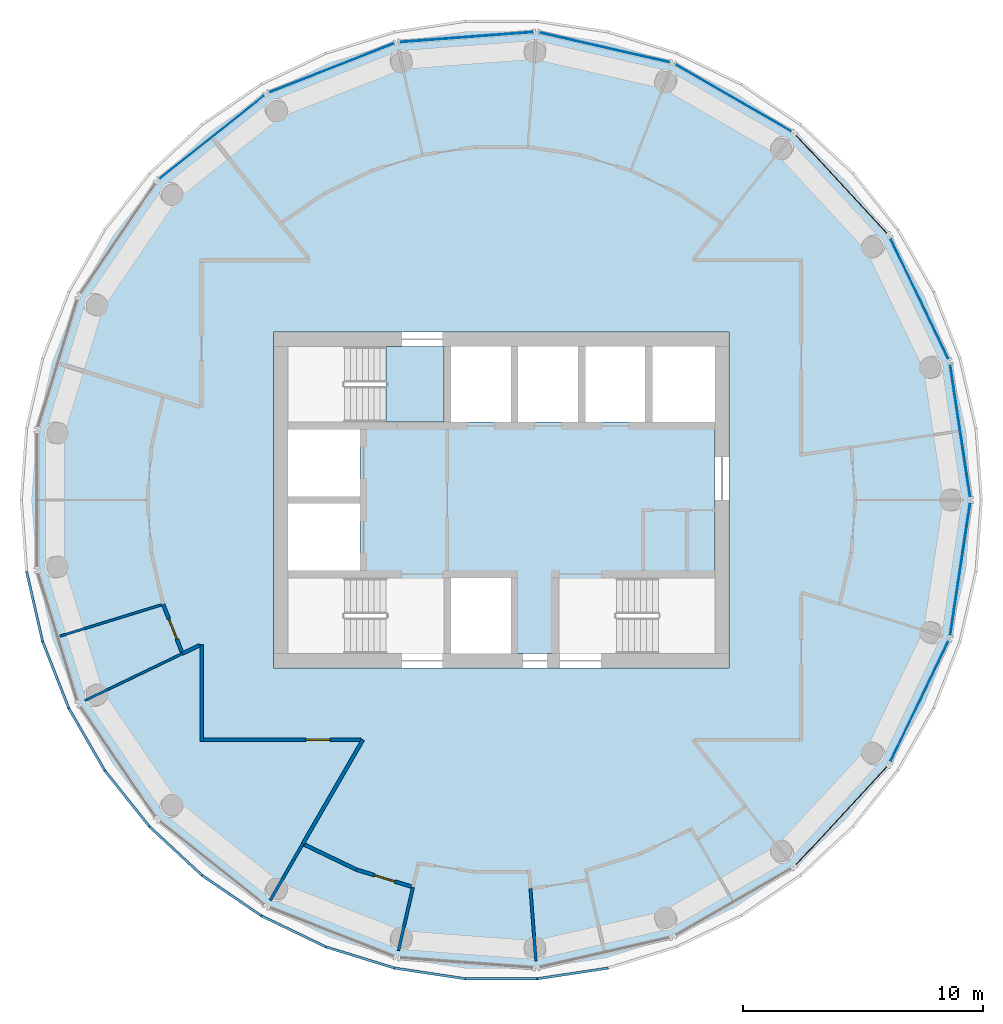
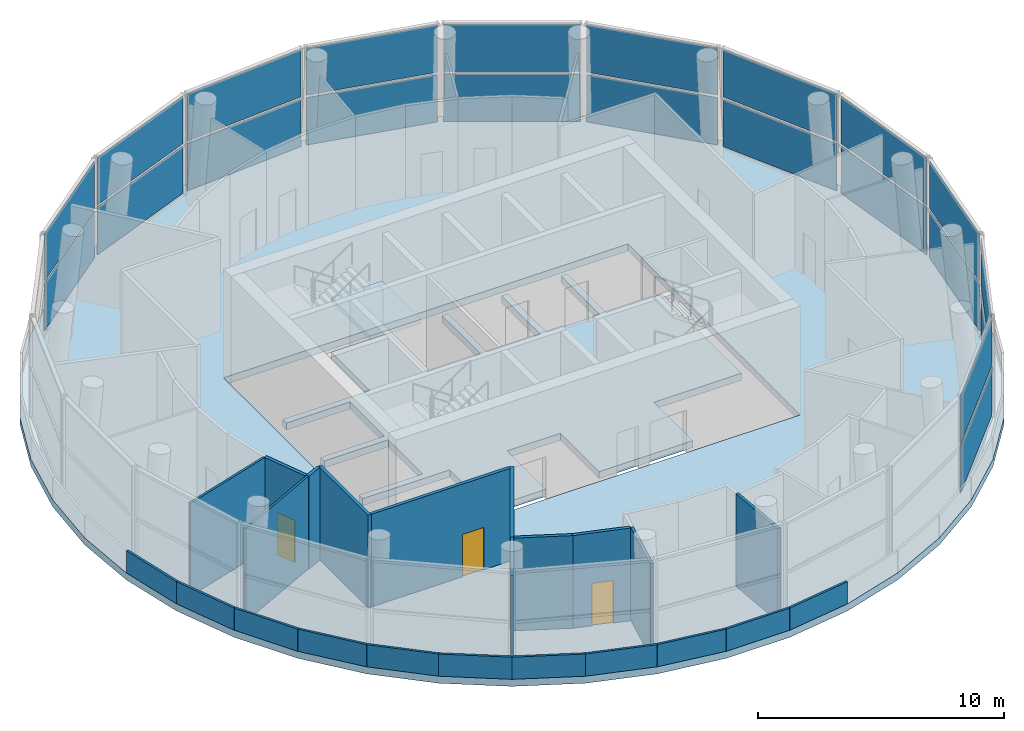
# One storey, part 4 of 11: 23 walls, 22 plates, 3 doors, 3 slabs, 3 openings, 12 elements without a shape of their own.
"""IFC4 building model written with IfcOpenShell, lengths in metres."""

from ifc_helpers import new_model, si_unit, direction, frame, frame_2d, origin, origin_2d, place, context, subcontext, project, spatial, polyline, rectangle, outline, extrude, material, layer, layer_set, type_object, element, fill, aggregate, save


model = new_model("IFC4")

# Units and contexts
model_context = context("Model", 3, precision=1e-05, world=origin(), true_north=direction((0.0, 1.0)))
body_context = subcontext(model_context, "Body", "Model", "MODEL_VIEW")
ifc_project = project(units=[si_unit("LENGTHUNIT", "METRE"), si_unit("AREAUNIT", "SQUARE_METRE"), si_unit("VOLUMEUNIT", "CUBIC_METRE"), si_unit("PLANEANGLEUNIT", "RADIAN"), si_unit("MASSUNIT", "GRAM", prefix="KILO")], contexts=[model_context])

# Site, building, storey
site_placement = place(None, origin())
site = spatial("IfcSite", under=ifc_project, at=site_placement, CompositionType="ELEMENT")
building_placement = place(site_placement, origin())
building = spatial("IfcBuilding", under=site, at=building_placement, Name="Tracery Tower", CompositionType="ELEMENT")
storey_placement = place(building_placement, frame((0.0, 0.0, 330.60009765625)))
storey = spatial("IfcBuildingStorey", under=building, at=storey_placement, Name="L86", CompositionType="ELEMENT", Elevation=330.60009765625)

# Slabs
ifc_material_1 = material(Name="Concrete C40/50", Category="concrete")
ifc_layer_1 = layer(ifc_material_1, 0.35009765625)
ifc_layer_set_1 = layer_set([ifc_layer_1], Name="Core floor slab 350 C40")
slab_type_1 = type_object("IfcSlabType", Name="Core floor slab 350 C40", PredefinedType="FLOOR", material=ifc_layer_set_1)
slab_1_placement = place(storey_placement, frame((0.0, 0.0, -0.35009765625)))
element("IfcSlab", 1, at=slab_1_placement, inside=storey, type_object=slab_type_1, Name="L86 core floor 1", PredefinedType="FLOOR", context=body_context, shape_type="SweptSolid", body=[
    extrude(outline(polyline([(-4.800537109375, -3.25), (-8.89990234375, -3.25), (-8.89990234375, -2.949951171875), (-5.89990234375, -2.949951171875), (-5.89990234375, -0.14990234375), (-8.89990234375, -0.14990234375), (-8.89990234375, 0.14990234375), (-5.89990234375, 0.14990234375), (-5.89990234375, 2.949951171875), (-8.89990234375, 2.949951171875), (-8.89990234375, 3.25), (-4.800537109375, 3.25), (-4.800537109375, 6.39990234375), (-2.10009765625, 6.39990234375), (-2.10009765625, 3.25), (0.39990234375, 3.25), (0.39990234375, 6.39990234375), (0.699951171875, 6.39990234375), (0.699951171875, 3.25), (3.199951171875, 3.25), (3.199951171875, 6.39990234375), (3.5, 6.39990234375), (3.5, 3.25), (6.0, 3.25), (6.0, 6.39990234375), (6.300048828125, 6.39990234375), (6.300048828125, 3.25), (8.89990234375, 3.25), (8.89990234375, -3.25), (4.800537109375, -3.25), (4.800537109375, -6.39990234375), (0.39990234375, -6.39990234375), (0.39990234375, -3.25), (-2.10009765625, -3.25), (-2.10009765625, -6.39990234375), (-4.800537109375, -6.39990234375), (-4.800537109375, -3.25)])), origin(), (0.0, 0.0, 1.0), 0.35009765625),
])
ifc_material_2 = material(Name="Concrete C40/50", Category="concrete")
ifc_layer_2 = layer(ifc_material_2, 0.35009765625)
ifc_layer_set_2 = layer_set([ifc_layer_2], Name="Crown floor slab 350")
slab_type_2 = type_object("IfcSlabType", Name="Crown floor slab 350", PredefinedType="FLOOR", material=ifc_layer_set_2)
slab_2_placement = place(storey_placement, frame((0.0, 0.0, -0.35009765625)))
element("IfcSlab", 2, at=slab_2_placement, inside=storey, type_object=slab_type_2, Name="Floor slab L86", PredefinedType="FLOOR", context=body_context, shape_type="SweptSolid", body=[
    extrude(outline(polyline([(19.180419921875, -5.91650390625), (19.847900390625, -2.99169921875), (20.072265625, 0.0), (19.847900390625, 2.99169921875), (19.180419921875, 5.91650390625), (18.08447265625, 8.708984375), (16.58447265625, 11.30712890625), (14.714111328125, 13.652587890625), (12.514892578125, 15.693115234375), (10.0361328125, 17.383056640625), (7.333251953125, 18.684814453125), (4.466552734375, 19.56884765625), (1.5, 20.01611328125), (-1.5, 20.01611328125), (-4.466552734375, 19.56884765625), (-7.333251953125, 18.684814453125), (-10.0361328125, 17.383056640625), (-12.514892578125, 15.693115234375), (-14.714111328125, 13.652587890625), (-16.58447265625, 11.30712890625), (-18.08447265625, 8.708984375), (-19.180419921875, 5.91650390625), (-19.847900390625, 2.99169921875), (-20.072265625, 0.0), (-19.847900390625, -2.99169921875), (-19.180419921875, -5.91650390625), (-18.08447265625, -8.708984375), (-16.58447265625, -11.30712890625), (-14.714111328125, -13.652587890625), (-12.514892578125, -15.693115234375), (-10.0361328125, -17.383056640625), (-7.333251953125, -18.684814453125), (-4.466552734375, -19.56884765625), (-1.5, -20.01611328125), (1.5, -20.01611328125), (4.466552734375, -19.56884765625), (7.333251953125, -18.684814453125), (10.0361328125, -17.383056640625), (12.514892578125, -15.693115234375), (14.714111328125, -13.652587890625), (16.58447265625, -11.30712890625), (18.08447265625, -8.708984375), (19.180419921875, -5.91650390625)]), holes=[polyline([(-9.5, -7.0), (9.5, -7.0), (9.5, 7.0), (-9.5, 7.0), (-9.5, -7.0)])]), origin(), (0.0, 0.0, 1.0), 0.35009765625),
])

# Curtain wall, plates
ifc_material_3 = material(Name="Aluminium curtain wall with tinted glass", Category="aluminium")
curtain_wall_type = type_object("IfcCurtainWallType", Name="Glazed crown lower curtain wall", PredefinedType="NOTDEFINED", material=ifc_material_3)
curtain_wall_1_placement = place(storey_placement, origin())
curtain_wall_1 = element("IfcCurtainWall", 3, at=curtain_wall_1_placement, inside=storey, type_object=curtain_wall_type, Name="Glazed crown lower run 00", PredefinedType="NOTDEFINED")
ifc_material_4 = material(Name="Tinted laminated glass", Category="glass")
ifc_layer_3 = layer(ifc_material_4, 0.031982421875)
ifc_layer_set_3 = layer_set([ifc_layer_3], Name="Glazed crown lower glass panel 32")
plate_type = type_object("IfcPlateType", Name="Glazed crown lower glass panel 32", PredefinedType="CURTAIN_PANEL", material=ifc_layer_set_3)
plate_1_placement = place(storey_placement, frame((19.137451171875, 2.884521484375, 0.1201171875), z_axis=(0.0, 0.0, 1.0), x_axis=(-0.14903981329, 0.988831195935, 0.0)))
plate_1 = element("IfcPlate", 4, at=plate_1_placement, type_object=plate_type, Name="CWB2 panel 1.1", PredefinedType="CURTAIN_PANEL", context=body_context, shape_type="SweptSolid", body=[
    extrude(rectangle(XDim=5.57421875, YDim=0.031982421875, at=origin_2d()), origin(), (0.0, 0.0, 1.0), 2.344970703125),
])
plate_2_placement = place(storey_placement, frame((19.137451171875, 2.884521484375, 2.5849609375), z_axis=(0.0, 0.0, 1.0), x_axis=(-0.14903981329, 0.988831195935, 0.0)))
plate_2 = element("IfcPlate", 5, at=plate_2_placement, type_object=plate_type, Name="CWB2 panel 1.2", PredefinedType="CURTAIN_PANEL", context=body_context, shape_type="SweptSolid", body=[
    extrude(rectangle(XDim=5.57421875, YDim=0.031982421875, at=origin_2d()), origin(), (0.0, 0.0, 1.0), 2.344970703125),
])
aggregate(curtain_wall_1, [plate_1, plate_2])

curtain_wall_2_placement = place(storey_placement, origin())
curtain_wall_2 = element("IfcCurtainWall", 6, at=curtain_wall_2_placement, inside=storey, type_object=curtain_wall_type, Name="Glazed crown lower run 01", PredefinedType="NOTDEFINED")
plate_3_placement = place(storey_placement, frame((17.43701171875, 8.397216796875, 0.1201171875), z_axis=(0.0, 0.0, 1.0), x_axis=(-0.433873094853, 0.900973993833, 0.0)))
plate_3 = element("IfcPlate", 7, at=plate_3_placement, type_object=plate_type, Name="CWB2 panel 1.1", PredefinedType="CURTAIN_PANEL", context=body_context, shape_type="SweptSolid", body=[
    extrude(rectangle(XDim=5.57421875, YDim=0.031982421875, at=origin_2d()), origin(), (0.0, 0.0, 1.0), 2.344970703125),
])
plate_4_placement = place(storey_placement, frame((17.43701171875, 8.397216796875, 2.5849609375), z_axis=(0.0, 0.0, 1.0), x_axis=(-0.433873094853, 0.900973993833, 0.0)))
plate_4 = element("IfcPlate", 8, at=plate_4_placement, type_object=plate_type, Name="CWB2 panel 1.2", PredefinedType="CURTAIN_PANEL", context=body_context, shape_type="SweptSolid", body=[
    extrude(rectangle(XDim=5.57421875, YDim=0.031982421875, at=origin_2d()), origin(), (0.0, 0.0, 1.0), 2.344970703125),
])
aggregate(curtain_wall_2, [plate_3, plate_4])

curtain_wall_3_placement = place(storey_placement, origin())
curtain_wall_3 = element("IfcCurtainWall", 9, at=curtain_wall_3_placement, inside=storey, type_object=curtain_wall_type, Name="Glazed crown lower run 02", PredefinedType="NOTDEFINED")
plate_5_placement = place(storey_placement, frame((14.187255859375, 13.163818359375, 0.1201171875), z_axis=(0.0, 0.0, 1.0), x_axis=(-0.680170417991, 0.733054024264, 0.0)))
plate_5 = element("IfcPlate", 10, at=plate_5_placement, type_object=plate_type, Name="CWB2 panel 1.1", PredefinedType="CURTAIN_PANEL", context=body_context, shape_type="SweptSolid", body=[
    extrude(rectangle(XDim=5.57421875, YDim=0.031982421875, at=origin_2d()), origin(), (0.0, 0.0, 1.0), 2.344970703125),
])
plate_6_placement = place(storey_placement, frame((14.187255859375, 13.163818359375, 2.5849609375), z_axis=(0.0, 0.0, 1.0), x_axis=(-0.680170417991, 0.733054024264, 0.0)))
plate_6 = element("IfcPlate", 11, at=plate_6_placement, type_object=plate_type, Name="CWB2 panel 1.2", PredefinedType="CURTAIN_PANEL", context=body_context, shape_type="SweptSolid", body=[
    extrude(rectangle(XDim=5.57421875, YDim=0.031982421875, at=origin_2d()), origin(), (0.0, 0.0, 1.0), 2.344970703125),
])
aggregate(curtain_wall_3, [plate_5, plate_6])

curtain_wall_4_placement = place(storey_placement, origin())
curtain_wall_4 = element("IfcCurtainWall", 12, at=curtain_wall_4_placement, inside=storey, type_object=curtain_wall_type, Name="Glazed crown lower run 03", PredefinedType="NOTDEFINED")
plate_7_placement = place(storey_placement, frame((9.6767578125, 16.7607421875, 0.1201171875), z_axis=(0.0, 0.0, 1.0), x_axis=(-0.866029306498, 0.499993240242, 0.0)))
plate_7 = element("IfcPlate", 13, at=plate_7_placement, type_object=plate_type, Name="CWB2 panel 1.1", PredefinedType="CURTAIN_PANEL", context=body_context, shape_type="SweptSolid", body=[
    extrude(rectangle(XDim=5.573974609375, YDim=0.031982421875, at=origin_2d()), origin(), (0.0, 0.0, 1.0), 2.344970703125),
])
plate_8_placement = place(storey_placement, frame((9.6767578125, 16.7607421875, 2.5849609375), z_axis=(0.0, 0.0, 1.0), x_axis=(-0.866029306498, 0.499993240242, 0.0)))
plate_8 = element("IfcPlate", 14, at=plate_8_placement, type_object=plate_type, Name="CWB2 panel 1.2", PredefinedType="CURTAIN_PANEL", context=body_context, shape_type="SweptSolid", body=[
    extrude(rectangle(XDim=5.573974609375, YDim=0.031982421875, at=origin_2d()), origin(), (0.0, 0.0, 1.0), 2.344970703125),
])
aggregate(curtain_wall_4, [plate_7, plate_8])

curtain_wall_5_placement = place(storey_placement, origin())
curtain_wall_5 = element("IfcCurtainWall", 15, at=curtain_wall_5_placement, inside=storey, type_object=curtain_wall_type, Name="Glazed crown lower run 04", PredefinedType="NOTDEFINED")
plate_9_placement = place(storey_placement, frame((4.306640625, 18.868408203125, 0.1201171875), z_axis=(0.0, 0.0, 1.0), x_axis=(-0.974925011603, 0.22253364184, 0.0)))
plate_9 = element("IfcPlate", 16, at=plate_9_placement, type_object=plate_type, Name="CWB2 panel 1.1", PredefinedType="CURTAIN_PANEL", context=body_context, shape_type="SweptSolid", body=[
    extrude(rectangle(XDim=5.57421875, YDim=0.031982421875, at=origin_2d()), origin(), (0.0, 0.0, 1.0), 2.344970703125),
])
plate_10_placement = place(storey_placement, frame((4.306640625, 18.868408203125, 2.5849609375), z_axis=(0.0, 0.0, 1.0), x_axis=(-0.974925011603, 0.22253364184, 0.0)))
plate_10 = element("IfcPlate", 17, at=plate_10_placement, type_object=plate_type, Name="CWB2 panel 1.2", PredefinedType="CURTAIN_PANEL", context=body_context, shape_type="SweptSolid", body=[
    extrude(rectangle(XDim=5.57421875, YDim=0.031982421875, at=origin_2d()), origin(), (0.0, 0.0, 1.0), 2.344970703125),
])
aggregate(curtain_wall_5, [plate_9, plate_10])

curtain_wall_6_placement = place(storey_placement, origin())
curtain_wall_6 = element("IfcCurtainWall", 18, at=curtain_wall_6_placement, inside=storey, type_object=curtain_wall_type, Name="Glazed crown lower run 05", PredefinedType="NOTDEFINED")
plate_11_placement = place(storey_placement, frame((-1.4462890625, 19.299560546875, 0.1201171875), z_axis=(0.0, 0.0, 1.0), x_axis=(-0.997203844509, -0.074729462035, 0.0)))
plate_11 = element("IfcPlate", 19, at=plate_11_placement, type_object=plate_type, Name="CWB2 panel 1.1", PredefinedType="CURTAIN_PANEL", context=body_context, shape_type="SweptSolid", body=[
    extrude(rectangle(XDim=5.573974609375, YDim=0.031982421875, at=origin_2d()), origin(), (0.0, 0.0, 1.0), 2.344970703125),
])
plate_12_placement = place(storey_placement, frame((-1.4462890625, 19.299560546875, 2.5849609375), z_axis=(0.0, 0.0, 1.0), x_axis=(-0.997203844509, -0.074729462035, 0.0)))
plate_12 = element("IfcPlate", 20, at=plate_12_placement, type_object=plate_type, Name="CWB2 panel 1.2", PredefinedType="CURTAIN_PANEL", context=body_context, shape_type="SweptSolid", body=[
    extrude(rectangle(XDim=5.573974609375, YDim=0.031982421875, at=origin_2d()), origin(), (0.0, 0.0, 1.0), 2.344970703125),
])
aggregate(curtain_wall_6, [plate_11, plate_12])

curtain_wall_7_placement = place(storey_placement, origin())
curtain_wall_7 = element("IfcCurtainWall", 21, at=curtain_wall_7_placement, inside=storey, type_object=curtain_wall_type, Name="Glazed crown lower run 06", PredefinedType="NOTDEFINED")
plate_13_placement = place(storey_placement, frame((-7.07080078125, 18.015869140625, 0.1201171875), z_axis=(0.0, 0.0, 1.0), x_axis=(-0.930869734741, -0.365351251459, 0.0)))
plate_13 = element("IfcPlate", 22, at=plate_13_placement, type_object=plate_type, Name="CWB2 panel 1.1", PredefinedType="CURTAIN_PANEL", context=body_context, shape_type="SweptSolid", body=[
    extrude(rectangle(XDim=5.57421875, YDim=0.031982421875, at=origin_2d()), origin(), (0.0, 0.0, 1.0), 2.344970703125),
])
plate_14_placement = place(storey_placement, frame((-7.07080078125, 18.015869140625, 2.5849609375), z_axis=(0.0, 0.0, 1.0), x_axis=(-0.930869734741, -0.365351251459, 0.0)))
plate_14 = element("IfcPlate", 23, at=plate_14_placement, type_object=plate_type, Name="CWB2 panel 1.2", PredefinedType="CURTAIN_PANEL", context=body_context, shape_type="SweptSolid", body=[
    extrude(rectangle(XDim=5.57421875, YDim=0.031982421875, at=origin_2d()), origin(), (0.0, 0.0, 1.0), 2.344970703125),
])
aggregate(curtain_wall_7, [plate_13, plate_14])

curtain_wall_8_placement = place(storey_placement, origin())
curtain_wall_8 = element("IfcCurtainWall", 24, at=curtain_wall_8_placement, inside=storey, type_object=curtain_wall_type, Name="Glazed crown lower run 07", PredefinedType="NOTDEFINED")
plate_15_placement = place(storey_placement, frame((-12.06689453125, 15.13134765625, 0.1201171875), z_axis=(0.0, 0.0, 1.0), x_axis=(-0.781829219055, -0.623492640079, 0.0)))
plate_15 = element("IfcPlate", 25, at=plate_15_placement, type_object=plate_type, Name="CWB2 panel 1.1", PredefinedType="CURTAIN_PANEL", context=body_context, shape_type="SweptSolid", body=[
    extrude(rectangle(XDim=5.57421875, YDim=0.031982421875, at=origin_2d()), origin(), (0.0, 0.0, 1.0), 2.344970703125),
])
plate_16_placement = place(storey_placement, frame((-12.06689453125, 15.13134765625, 2.5849609375), z_axis=(0.0, 0.0, 1.0), x_axis=(-0.781829219055, -0.623492640079, 0.0)))
plate_16 = element("IfcPlate", 26, at=plate_16_placement, type_object=plate_type, Name="CWB2 panel 1.2", PredefinedType="CURTAIN_PANEL", context=body_context, shape_type="SweptSolid", body=[
    extrude(rectangle(XDim=5.57421875, YDim=0.031982421875, at=origin_2d()), origin(), (0.0, 0.0, 1.0), 2.344970703125),
])
aggregate(curtain_wall_8, [plate_15, plate_16])

curtain_wall_9_placement = place(storey_placement, origin())
curtain_wall_9 = element("IfcCurtainWall", 27, at=curtain_wall_9_placement, inside=storey, type_object=curtain_wall_type, Name="Glazed crown lower run 18", PredefinedType="NOTDEFINED")
plate_17_placement = place(storey_placement, frame((14.187255859375, -13.163818359375, 0.1201171875), z_axis=(0.0, 0.0, 1.0), x_axis=(0.680170417991, 0.733054024264, 0.0)))
plate_17 = element("IfcPlate", 28, at=plate_17_placement, type_object=plate_type, Name="CWB2 panel 1.1", PredefinedType="CURTAIN_PANEL", context=body_context, shape_type="SweptSolid", body=[
    extrude(rectangle(XDim=5.57421875, YDim=0.031982421875, at=origin_2d()), origin(), (0.0, 0.0, 1.0), 2.344970703125),
])
plate_18_placement = place(storey_placement, frame((14.187255859375, -13.163818359375, 2.5849609375), z_axis=(0.0, 0.0, 1.0), x_axis=(0.680170417991, 0.733054024264, 0.0)))
plate_18 = element("IfcPlate", 29, at=plate_18_placement, type_object=plate_type, Name="CWB2 panel 1.2", PredefinedType="CURTAIN_PANEL", context=body_context, shape_type="SweptSolid", body=[
    extrude(rectangle(XDim=5.57421875, YDim=0.031982421875, at=origin_2d()), origin(), (0.0, 0.0, 1.0), 2.344970703125),
])
aggregate(curtain_wall_9, [plate_17, plate_18])

curtain_wall_10_placement = place(storey_placement, origin())
curtain_wall_10 = element("IfcCurtainWall", 30, at=curtain_wall_10_placement, inside=storey, type_object=curtain_wall_type, Name="Glazed crown lower run 19", PredefinedType="NOTDEFINED")
plate_19_placement = place(storey_placement, frame((17.43701171875, -8.397216796875, 0.1201171875), z_axis=(0.0, 0.0, 1.0), x_axis=(0.433873094853, 0.900973993833, 0.0)))
plate_19 = element("IfcPlate", 31, at=plate_19_placement, type_object=plate_type, Name="CWB2 panel 1.1", PredefinedType="CURTAIN_PANEL", context=body_context, shape_type="SweptSolid", body=[
    extrude(rectangle(XDim=5.57421875, YDim=0.031982421875, at=origin_2d()), origin(), (0.0, 0.0, 1.0), 2.344970703125),
])
plate_20_placement = place(storey_placement, frame((17.43701171875, -8.397216796875, 2.5849609375), z_axis=(0.0, 0.0, 1.0), x_axis=(0.433873094853, 0.900973993833, 0.0)))
plate_20 = element("IfcPlate", 32, at=plate_20_placement, type_object=plate_type, Name="CWB2 panel 1.2", PredefinedType="CURTAIN_PANEL", context=body_context, shape_type="SweptSolid", body=[
    extrude(rectangle(XDim=5.57421875, YDim=0.031982421875, at=origin_2d()), origin(), (0.0, 0.0, 1.0), 2.344970703125),
])
aggregate(curtain_wall_10, [plate_19, plate_20])

curtain_wall_11_placement = place(storey_placement, origin())
curtain_wall_11 = element("IfcCurtainWall", 33, at=curtain_wall_11_placement, inside=storey, type_object=curtain_wall_type, Name="Glazed crown lower run 20", PredefinedType="NOTDEFINED")
plate_21_placement = place(storey_placement, frame((19.137451171875, -2.884521484375, 0.1201171875), z_axis=(0.0, 0.0, 1.0), x_axis=(0.14903981329, 0.988831195935, 0.0)))
plate_21 = element("IfcPlate", 34, at=plate_21_placement, type_object=plate_type, Name="CWB2 panel 1.1", PredefinedType="CURTAIN_PANEL", context=body_context, shape_type="SweptSolid", body=[
    extrude(rectangle(XDim=5.57421875, YDim=0.031982421875, at=origin_2d()), origin(), (0.0, 0.0, 1.0), 2.344970703125),
])
plate_22_placement = place(storey_placement, frame((19.137451171875, -2.884521484375, 2.5849609375), z_axis=(0.0, 0.0, 1.0), x_axis=(0.14903981329, 0.988831195935, 0.0)))
plate_22 = element("IfcPlate", 35, at=plate_22_placement, type_object=plate_type, Name="CWB2 panel 1.2", PredefinedType="CURTAIN_PANEL", context=body_context, shape_type="SweptSolid", body=[
    extrude(rectangle(XDim=5.57421875, YDim=0.031982421875, at=origin_2d()), origin(), (0.0, 0.0, 1.0), 2.344970703125),
])
aggregate(curtain_wall_11, [plate_21, plate_22])

# Stair, slab
ifc_material_5 = material(Name="Concrete C32/40", Category="concrete")
stair_type = type_object("IfcStairType", Name="Core stair 32 risers", PredefinedType="HALF_TURN_STAIR", material=ifc_material_5)
stair_placement = place(storey_placement, origin())
stair = element("IfcStair", 36, at=stair_placement, inside=storey, type_object=stair_type, Name="L86 stair ST3", PredefinedType="HALF_TURN_STAIR")
ifc_material_6 = material(Name="Concrete C32/40", Category="concrete")
ifc_layer_4 = layer(ifc_material_6, 0.199951171875)
ifc_layer_set_4 = layer_set([ifc_layer_4], Name="Stair landing slab 200")
slab_type_3 = type_object("IfcSlabType", Name="Stair landing slab 200", PredefinedType="LANDING", material=ifc_layer_set_4)
slab_3_placement = place(storey_placement, frame((0.0, 0.0, 2.5)))
slab_3 = element("IfcSlab", 37, at=slab_3_placement, type_object=slab_type_3, Name="ST3 landing 2", PredefinedType="LANDING", context=body_context, shape_type="SweptSolid", body=[
    extrude(outline(polyline([(-2.39990234375, 6.39990234375), (-4.800537109375, 6.39990234375), (-4.800537109375, 3.25), (-2.39990234375, 3.25), (-2.39990234375, 6.39990234375)])), origin(), (0.0, 0.0, 1.0), 0.199951171875),
])
aggregate(stair, [slab_3])

# Wall, opening, door
ifc_material_7 = material(Name="Plasterboard on steel studs", Category="steel")
ifc_layer_5 = layer(ifc_material_7, 0.14990234375)
ifc_layer_set_5 = layer_set([ifc_layer_5], Name="Corridor partition 150")
wall_type_1 = type_object("IfcWallType", Name="Corridor partition 150", PredefinedType="PARTITIONING", material=ifc_layer_set_5)
wall_1_placement = place(storey_placement, frame((-13.32470703125, -6.33349609375, 0.0), z_axis=(0.0, 0.0, 1.0), x_axis=(-0.365297827948, 0.930890700832, 0.0)))
wall_1 = element("IfcWall", 38, at=wall_1_placement, inside=storey, type_object=wall_type_1, Name="Corridor partition 150", PredefinedType="PARTITIONING", context=body_context, shape_type="SweptSolid", body=[
    extrude(rectangle(XDim=2.130615234375, YDim=0.14990234375, at=frame_2d((1.0654296875, 0.0))), origin(), (0.0, 0.0, 1.0), 4.599853515625),
])
opening_1_placement = place(wall_1_placement, frame((0.57763671875, 0.0, 0.0)))
opening_1 = element("IfcOpeningElement", 39, at=opening_1_placement, cuts=wall_1, Name="Opening SB-L86-09", PredefinedType="OPENING", context=body_context, shape_type="SweptSolid", body=[
    extrude(rectangle(XDim=0.89990234375, YDim=2.10009765625, at=frame_2d((0.449951171875, 1.050048828125))), frame((0.0, 0.074951171875, 0.0), z_axis=(0.0, -1.0, 0.0), x_axis=(1.0, 0.0, 0.0)), (0.0, 0.0, 1.0), 0.14990234375),
])
ifc_material_8 = material(Name="Timber door leaf", Category="wood")
door_type_1 = type_object("IfcDoorType", Name="Room door 900", OperationType="NOTDEFINED", PredefinedType="DOOR", material=ifc_material_8)
door_1_placement = place(opening_1_placement, origin())
door_1 = element("IfcDoor", 40, at=door_1_placement, inside=storey, type_object=door_type_1, Name="Room door 900", OperationType="SINGLE_SWING_RIGHT", OverallHeight=2.10009765625, OverallWidth=0.89990234375, PredefinedType="DOOR", context=body_context, shape_type="SweptSolid", body=[
    extrude(rectangle(XDim=0.89990234375, YDim=2.10009765625, at=frame_2d((0.449951171875, 1.050048828125))), frame((0.0, 0.02490234375, 0.0), z_axis=(0.0, -1.0, 0.0), x_axis=(1.0, 0.0, 0.0)), (0.0, 0.0, 1.0), 0.050048828125),
])
fill(opening_1, door_1)

# Wall
wall_2_placement = place(storey_placement, frame((-13.297119140625, -6.403564453125, 0.0), z_axis=(0.0, 0.0, 1.0), x_axis=(0.901028126171, 0.433760666554, 0.0)))
element("IfcWall", 41, at=wall_2_placement, inside=storey, type_object=wall_type_1, Name="Corridor partition 150", PredefinedType="PARTITIONING", context=body_context, shape_type="SweptSolid", body=[
    extrude(rectangle(XDim=0.801513671875, YDim=0.14990234375, at=frame_2d((0.40087890625, 0.0))), origin(), (0.0, 0.0, 1.0), 4.599853515625),
])

# Wall, opening, door
wall_3_placement = place(storey_placement, frame((-5.860107421875, -10.0, 0.0), z_axis=(0.0, 0.0, 1.0), x_axis=(-1.0, 0.0, 0.0)))
wall_3 = element("IfcWall", 42, at=wall_3_placement, inside=storey, type_object=wall_type_1, Name="Corridor partition 150", PredefinedType="PARTITIONING", context=body_context, shape_type="SweptSolid", body=[
    extrude(rectangle(XDim=6.56494140625, YDim=0.14990234375, at=frame_2d((3.282470703125, 0.0))), origin(), (0.0, 0.0, 1.0), 4.599853515625),
])
opening_2_placement = place(wall_3_placement, frame((1.276611328125, 0.0, 0.0)))
opening_2 = element("IfcOpeningElement", 43, at=opening_2_placement, cuts=wall_3, Name="Opening SB-L86-10", PredefinedType="OPENING", context=body_context, shape_type="SweptSolid", body=[
    extrude(rectangle(XDim=1.0, YDim=2.10009765625, at=frame_2d((0.5, 1.050048828125))), frame((0.0, 0.074951171875, 0.0), z_axis=(0.0, -1.0, 0.0), x_axis=(1.0, 0.0, 0.0)), (0.0, 0.0, 1.0), 0.14990234375),
])
ifc_material_9 = material(Name="Timber door leaf", Category="wood")
door_type_2 = type_object("IfcDoorType", Name="Public room door 1000", OperationType="NOTDEFINED", PredefinedType="DOOR", material=ifc_material_9)
door_2_placement = place(opening_2_placement, origin())
door_2 = element("IfcDoor", 44, at=door_2_placement, inside=storey, type_object=door_type_2, Name="Public room door 1000", OperationType="SINGLE_SWING_RIGHT", OverallHeight=2.10009765625, OverallWidth=1.0, PredefinedType="DOOR", context=body_context, shape_type="SweptSolid", body=[
    extrude(rectangle(XDim=1.0, YDim=2.10009765625, at=frame_2d((0.5, 1.050048828125))), frame((0.0, 0.02490234375, 0.0), z_axis=(0.0, -1.0, 0.0), x_axis=(1.0, 0.0, 0.0)), (0.0, 0.0, 1.0), 0.050048828125),
])
fill(opening_2, door_2)

# Walls
wall_4_placement = place(storey_placement, frame((-12.5, -6.019775390625, 0.0), z_axis=(0.0, 0.0, 1.0), x_axis=(0.0, -1.0, 0.0)))
element("IfcWall", 45, at=wall_4_placement, inside=storey, type_object=wall_type_1, Name="Corridor partition 150", PredefinedType="PARTITIONING", context=body_context, shape_type="SweptSolid", body=[
    extrude(rectangle(XDim=4.05517578125, YDim=0.14990234375, at=frame_2d((2.027587890625, 0.0))), origin(), (0.0, 0.0, 1.0), 4.599853515625),
])
wall_5_placement = place(storey_placement, frame((-8.210693359375, -14.37109375, 0.0), z_axis=(0.0, 0.0, 1.0), x_axis=(0.900942745127, -0.433937979443, 0.0)))
element("IfcWall", 46, at=wall_5_placement, inside=storey, type_object=wall_type_1, Name="Corridor partition 150", PredefinedType="PARTITIONING", context=body_context, shape_type="SweptSolid", body=[
    extrude(rectangle(XDim=2.399658203125, YDim=0.14990234375, at=frame_2d((1.19970703125, 0.0))), origin(), (0.0, 0.0, 1.0), 4.599853515625),
])
wall_6_placement = place(storey_placement, frame((-8.2783203125, -14.338623046875, 0.0), z_axis=(0.0, 0.0, 1.0), x_axis=(0.499996650831, 0.866027337419, 0.0)))
element("IfcWall", 47, at=wall_6_placement, inside=storey, type_object=wall_type_1, Name="Corridor partition 150", PredefinedType="PARTITIONING", context=body_context, shape_type="SweptSolid", body=[
    extrude(rectangle(XDim=5.009765625, YDim=0.14990234375, at=frame_2d((2.5048828125, 0.0))), origin(), (0.0, 0.0, 1.0), 4.599853515625),
])

# Wall, opening, door
wall_7_placement = place(storey_placement, frame((-3.756103515625, -16.119384765625, 0.0), z_axis=(0.0, 0.0, 1.0), x_axis=(-0.955594008436, 0.294686428328, 0.0)))
wall_7 = element("IfcWall", 48, at=wall_7_placement, inside=storey, type_object=wall_type_1, Name="Corridor partition 150", PredefinedType="PARTITIONING", context=body_context, shape_type="SweptSolid", body=[
    extrude(rectangle(XDim=2.399169921875, YDim=0.14990234375, at=frame_2d((1.19970703125, 0.0))), origin(), (0.0, 0.0, 1.0), 4.599853515625),
])
opening_3_placement = place(wall_7_placement, frame((0.712158203125, 0.0, 0.0)))
opening_3 = element("IfcOpeningElement", 49, at=opening_3_placement, cuts=wall_7, Name="Opening SB-L86-11", PredefinedType="OPENING", context=body_context, shape_type="SweptSolid", body=[
    extrude(rectangle(XDim=0.89990234375, YDim=2.10009765625, at=frame_2d((0.449951171875, 1.050048828125))), frame((0.0, 0.074951171875, 0.0), z_axis=(0.0, -1.0, 0.0), x_axis=(1.0, 0.0, 0.0)), (0.0, 0.0, 1.0), 0.14990234375),
])
ifc_material_10 = material(Name="Timber door leaf", Category="wood")
door_type_3 = type_object("IfcDoorType", Name="Toilet door 900", OperationType="NOTDEFINED", PredefinedType="DOOR", material=ifc_material_10)
door_3_placement = place(opening_3_placement, origin())
door_3 = element("IfcDoor", 50, at=door_3_placement, inside=storey, type_object=door_type_3, Name="Toilet door 900", OperationType="SINGLE_SWING_RIGHT", OverallHeight=2.10009765625, OverallWidth=0.89990234375, PredefinedType="DOOR", context=body_context, shape_type="SweptSolid", body=[
    extrude(rectangle(XDim=0.89990234375, YDim=2.10009765625, at=frame_2d((0.449951171875, 1.050048828125))), frame((0.0, 0.02490234375, 0.0), z_axis=(0.0, -1.0, 0.0), x_axis=(1.0, 0.0, 0.0)), (0.0, 0.0, 1.0), 0.050048828125),
])
fill(opening_3, door_3)

# Walls
ifc_material_11 = material(Name="Tinted laminated glass", Category="glass")
ifc_layer_6 = layer(ifc_material_11, 0.10009765625)
ifc_layer_set_6 = layer_set([ifc_layer_6], Name="Crown ledge glass parapet 100")
wall_type_2 = type_object("IfcWallType", Name="Crown ledge glass parapet 100", PredefinedType="PARAPET", material=ifc_layer_set_6)
wall_8_placement = place(storey_placement, frame((-19.79736328125, -2.98876953125, 0.0), z_axis=(0.0, 0.0, 1.0), x_axis=(0.22253367096, -0.974925004956, 0.0)))
element("IfcWall", 51, at=wall_8_placement, inside=storey, type_object=wall_type_2, Name="Crown ledge glass parapet L86 23", PredefinedType="PARAPET", context=body_context, shape_type="SweptSolid", body=[
    extrude(rectangle(XDim=2.98291015625, YDim=0.10009765625, at=frame_2d((1.491455078125, 0.0))), origin(), (0.0, 0.0, 1.0), 1.099853515625),
])
wall_9_placement = place(storey_placement, frame((-19.130859375, -5.906005859375, 0.0), z_axis=(0.0, 0.0, 1.0), x_axis=(0.365343432016, -0.930872803708, 0.0)))
element("IfcWall", 52, at=wall_9_placement, inside=storey, type_object=wall_type_2, Name="Crown ledge glass parapet L86 24", PredefinedType="PARAPET", context=body_context, shape_type="SweptSolid", body=[
    extrude(rectangle(XDim=2.983154296875, YDim=0.10009765625, at=frame_2d((1.49169921875, 0.0))), origin(), (0.0, 0.0, 1.0), 1.099853515625),
])
wall_10_placement = place(storey_placement, frame((-18.036865234375, -8.69140625, 0.0), z_axis=(0.0, 0.0, 1.0), x_axis=(0.500003486784, -0.866023390679, 0.0)))
element("IfcWall", 53, at=wall_10_placement, inside=storey, type_object=wall_type_2, Name="Crown ledge glass parapet L86 25", PredefinedType="PARAPET", context=body_context, shape_type="SweptSolid", body=[
    extrude(rectangle(XDim=2.98291015625, YDim=0.10009765625, at=frame_2d((1.491455078125, 0.0))), origin(), (0.0, 0.0, 1.0), 1.099853515625),
])
wall_11_placement = place(storey_placement, frame((-16.5400390625, -11.282470703125, 0.0), z_axis=(0.0, 0.0, 1.0), x_axis=(0.62347663043, -0.781841986151, 0.0)))
element("IfcWall", 54, at=wall_11_placement, inside=storey, type_object=wall_type_2, Name="Crown ledge glass parapet L86 26", PredefinedType="PARAPET", context=body_context, shape_type="SweptSolid", body=[
    extrude(rectangle(XDim=2.983154296875, YDim=0.10009765625, at=frame_2d((1.49169921875, 0.0))), origin(), (0.0, 0.0, 1.0), 1.099853515625),
])
for number, where, z_axis, x_axis, name in (
    (55, (-14.673583984375, -13.62158203125, 0.0), (0.0, 0.0, 1.0), (0.733009168405, -0.68021875822, 0.0), "Crown ledge glass parapet L86 27"),
    (56, (-12.4794921875, -15.656494140625, 0.0), (0.0, 0.0, 1.0), (0.826225611244, -0.563339364259, 0.0), "Crown ledge glass parapet L86 28"),
):
    element("IfcWall", number, at=place(storey_placement, frame(where, z_axis=z_axis, x_axis=x_axis)), inside=storey, type_object=wall_type_2, Name=name, PredefinedType="PARAPET", context=body_context, shape_type="SweptSolid", body=[
        extrude(rectangle(XDim=2.98291015625, YDim=0.10009765625, at=frame_2d((1.491455078125, 0.0))), origin(), (0.0, 0.0, 1.0), 1.099853515625),
    ])
wall_12_placement = place(storey_placement, frame((-10.0068359375, -17.341796875, 0.0), z_axis=(0.0, 0.0, 1.0), x_axis=(0.900989821587, -0.433840225655, 0.0)))
element("IfcWall", 57, at=wall_12_placement, inside=storey, type_object=wall_type_2, Name="Crown ledge glass parapet L86 29", PredefinedType="PARAPET", context=body_context, shape_type="SweptSolid", body=[
    extrude(rectangle(XDim=2.983154296875, YDim=0.10009765625, at=frame_2d((1.49169921875, 0.0))), origin(), (0.0, 0.0, 1.0), 1.099853515625),
])
for number, where, z_axis, x_axis, name in (
    (58, (-7.310302734375, -18.639404296875, 0.0), (0.0, 0.0, 1.0), (0.955555758085, -0.294810436028, 0.0), "Crown ledge glass parapet L86 30"),
    (59, (-4.45068359375, -19.520751953125, 0.0), (0.0, 0.0, 1.0), (0.988831652332, -0.149036785209, 0.0), "Crown ledge glass parapet L86 31"),
    (60, (-1.491455078125, -19.966064453125, 0.0), (0.0, 0.0, 1.0), (1.0, 0.0, 0.0), "Crown ledge glass parapet L86 32"),
    (61, (1.5009765625, -19.96533203125, 0.0), (0.0, 0.0, 1.0), (0.988831652332, 0.149036785209, 0.0), "Crown ledge glass parapet L86 33"),
):
    element("IfcWall", number, at=place(storey_placement, frame(where, z_axis=z_axis, x_axis=x_axis)), inside=storey, type_object=wall_type_2, Name=name, PredefinedType="PARAPET", context=body_context, shape_type="SweptSolid", body=[
        extrude(rectangle(XDim=2.98291015625, YDim=0.10009765625, at=frame_2d((1.491455078125, 0.0))), origin(), (0.0, 0.0, 1.0), 1.099853515625),
    ])
ifc_material_12 = material(Name="Plasterboard on steel studs", Category="steel")
ifc_layer_7 = layer(ifc_material_12, 0.10009765625)
ifc_layer_set_7 = layer_set([ifc_layer_7], Name="Stud partition 100")
wall_type_3 = type_object("IfcWallType", Name="Stud partition 100", PredefinedType="PARTITIONING", material=ifc_layer_set_7)
wall_13_placement = place(storey_placement, frame((-18.415283203125, -5.680419921875, 0.0), z_axis=(0.0, 0.0, 1.0), x_axis=(0.955562244267, 0.294789411837, 0.0)))
element("IfcWall", 62, at=wall_13_placement, inside=storey, type_object=wall_type_3, Name="Stud partition 100", PredefinedType="PARTITIONING", context=body_context, shape_type="SweptSolid", body=[
    extrude(rectangle(XDim=4.4375, YDim=0.10009765625, at=frame_2d((2.21875, 0.0))), origin(), (0.0, 0.0, 1.0), 4.599853515625),
])
wall_14_placement = place(storey_placement, frame((-17.36279296875, -8.361572265625, 0.0), z_axis=(0.0, 0.0, 1.0), x_axis=(0.900961721986, 0.433898577453, 0.0)))
element("IfcWall", 63, at=wall_14_placement, inside=storey, type_object=wall_type_3, Name="Stud partition 100", PredefinedType="PARTITIONING", context=body_context, shape_type="SweptSolid", body=[
    extrude(rectangle(XDim=4.5126953125, YDim=0.10009765625, at=frame_2d((2.25634765625, 0.0))), origin(), (0.0, 0.0, 1.0), 4.599853515625),
])
ifc_material_13 = material(Name="Plasterboard on steel studs", Category="steel")
ifc_layer_8 = layer(ifc_material_13, 0.125)
ifc_layer_set_8 = layer_set([ifc_layer_8], Name="Wet area partition 125")
wall_type_4 = type_object("IfcWallType", Name="Wet area partition 125", PredefinedType="PARTITIONING", material=ifc_layer_set_8)
for number, where, z_axis, x_axis, name in (
    (64, (-9.6357421875, -16.689453125, 0.0), (0.0, 0.0, 1.0), (0.500046828608, 0.865998365587, 0.0), "Wet area partition 125"),
    (65, (-4.288330078125, -18.7880859375, 0.0), (0.0, 0.0, 1.0), (0.222592802318, 0.97491150591, 0.0), "Wet area partition 125"),
):
    element("IfcWall", number, at=place(storey_placement, frame(where, z_axis=z_axis, x_axis=x_axis)), inside=storey, type_object=wall_type_4, Name=name, PredefinedType="PARTITIONING", context=body_context, shape_type="SweptSolid", body=[
        extrude(rectangle(XDim=2.714599609375, YDim=0.125, at=frame_2d((1.357421875, 0.0))), origin(), (0.0, 0.0, 1.0), 4.599853515625),
    ])
wall_15_placement = place(storey_placement, frame((1.440185546875, -19.217529296875, 0.0), z_axis=(0.0, 0.0, 1.0), x_axis=(-0.074711553735, 0.997205186378, 0.0)))
element("IfcWall", 66, at=wall_15_placement, inside=storey, type_object=wall_type_4, Name="Wet area partition 125", PredefinedType="PARTITIONING", context=body_context, shape_type="SweptSolid", body=[
    extrude(rectangle(XDim=3.01953125, YDim=0.125, at=frame_2d((1.509765625, 0.0))), origin(), (0.0, 0.0, 1.0), 4.599853515625),
])

save(model, "model.ifc")
